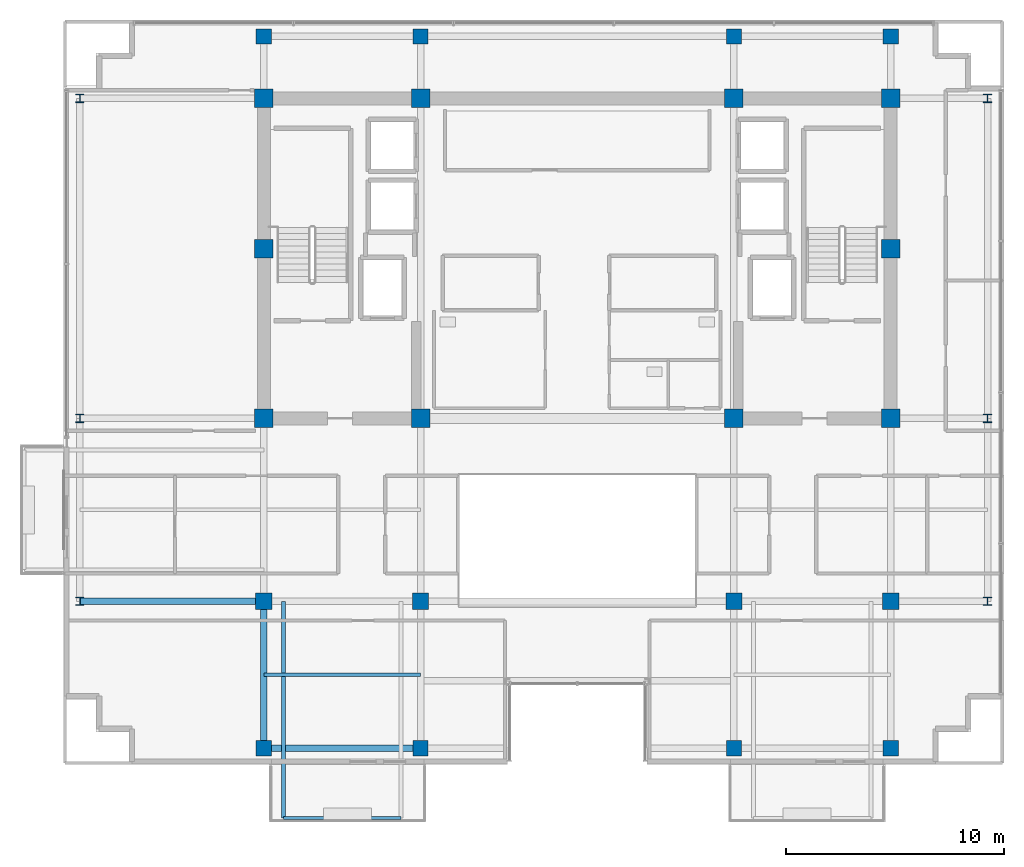
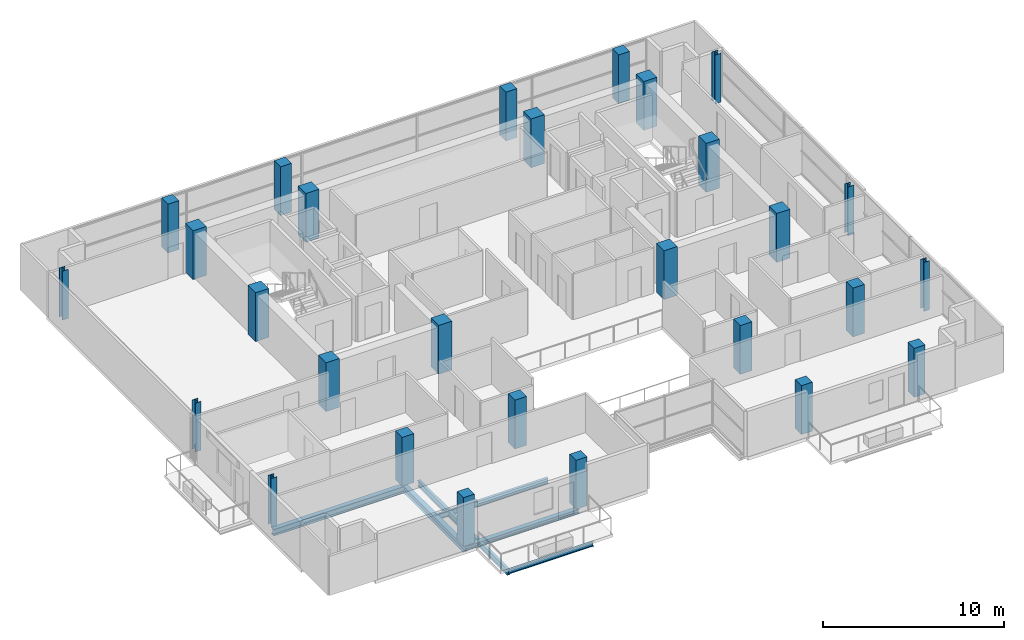
# One storey, part 1 of 22: 28 columns, 6 beams.
"""IFC4 building model written with IfcOpenShell, lengths in metres."""

from ifc_helpers import new_model, si_unit, direction, frame, origin, origin_2d, place, context, subcontext, project, spatial, rectangle, i_section, extrude, material, material_profile, profile_set, type_object, element, save


model = new_model("IFC4")

# Units and contexts
model_context = context("Model", 3, precision=1e-05, world=origin(), true_north=direction((0.0, 1.0)))
body_context = subcontext(model_context, "Body", "Model", "MODEL_VIEW")
ifc_project = project(units=[si_unit("LENGTHUNIT", "METRE"), si_unit("AREAUNIT", "SQUARE_METRE"), si_unit("VOLUMEUNIT", "CUBIC_METRE"), si_unit("PLANEANGLEUNIT", "RADIAN"), si_unit("MASSUNIT", "GRAM", prefix="KILO")], contexts=[model_context])

# Site, building, storey
site_placement = place(None, origin())
site = spatial("IfcSite", under=ifc_project, at=site_placement, CompositionType="ELEMENT")
building_placement = place(site_placement, origin())
building = spatial("IfcBuilding", under=site, at=building_placement, Name="Zarnakvel Exchange Tower", CompositionType="ELEMENT")
storey_placement = place(building_placement, frame((0.0, 0.0, 215.5)))
storey = spatial("IfcBuildingStorey", under=building, at=storey_placement, Name="L60", CompositionType="ELEMENT", Elevation=215.5)

# Columns
ifc_material_1 = material(Name="Concrete C50/60", Category="concrete")
ifc_material_profile_1 = material_profile(ifc_material_1, rectangle(XDim=0.85009765625, YDim=0.85009765625, at=origin_2d()))
ifc_profile_set_1 = profile_set([ifc_material_profile_1], Name="Concrete C50/60")
column_type_1 = type_object("IfcColumnType", Name="CC-03", PredefinedType="COLUMN", material=ifc_profile_set_1)
for number, where, z_axis, x_axis, name in (
    (1, (-14.39990234375, -1.199951171875, 0.0), (0.0, 0.0, 1.0), (1.0, 0.0, 0.0), "L60 Column C-4D (CC-03)"),
    (2, (-7.199951171875, -1.199951171875, 0.0), (0.0, 0.0, 1.0), (1.0, 0.0, 0.0), "L60 Column C-5D (CC-03)"),
    (3, (7.199951171875, -1.199951171875, 0.0), (0.0, 0.0, 1.0), (1.0, 0.0, 0.0), "L60 Column C-8D (CC-03)"),
    (4, (14.39990234375, -1.199951171875, 0.0), (0.0, 0.0, 1.0), (1.0, 0.0, 0.0), "L60 Column C-9D (CC-03)"),
    (5, (-14.39990234375, 6.60009765625, 0.0), (0.0, 0.0, 1.0), (1.0, 0.0, 0.0), "L60 Column C-4E (CC-03)"),
    (6, (14.39990234375, 6.60009765625, 0.0), (0.0, 0.0, 1.0), (1.0, 0.0, 0.0), "L60 Column C-9E (CC-03)"),
    (7, (-14.39990234375, 13.5, 0.0), (0.0, 0.0, 1.0), (1.0, 0.0, 0.0), "L60 Column C-4F (CC-03)"),
    (8, (-7.199951171875, 13.5, 0.0), (0.0, 0.0, 1.0), (1.0, 0.0, 0.0), "L60 Column C-5F (CC-03)"),
    (9, (7.199951171875, 13.5, 0.0), (0.0, 0.0, 1.0), (1.0, 0.0, 0.0), "L60 Column C-8F (CC-03)"),
    (10, (14.39990234375, 13.5, 0.0), (0.0, 0.0, 1.0), (1.0, 0.0, 0.0), "L60 Column C-9F (CC-03)"),
):
    element("IfcColumn", number, at=place(storey_placement, frame(where, z_axis=z_axis, x_axis=x_axis)), inside=storey, type_object=column_type_1, Name=name, PredefinedType="COLUMN", context=body_context, shape_type="SweptSolid", body=[
        extrude(rectangle(XDim=0.85009765625, YDim=0.85009765625, at=origin_2d()), origin(), (0.0, 0.0, 1.0), 3.300048828125),
    ])
ifc_material_2 = material(Name="Steel S355", Category="steel")
ifc_material_profile_2 = material_profile(ifc_material_2, i_section(OverallWidth=0.374755859375, OverallDepth=0.37451171875, WebThickness=0.0166015625, FlangeThickness=0.027099609375, FilletRadius=0.01513671875, at=origin_2d()))
ifc_profile_set_2 = profile_set([ifc_material_profile_2], Name="Steel S355")
column_type_2 = type_object("IfcColumnType", Name="SC-05", PredefinedType="COLUMN", material=ifc_profile_set_2)
for number, where, z_axis, x_axis, name in (
    (11, (-22.85009765625, -9.60009765625, 0.0), (0.0, 0.0, 1.0), (1.0, 0.0, 0.0), "L60 Column TW-C (SC-05)"),
    (12, (18.85009765625, -9.60009765625, 0.0), (0.0, 0.0, 1.0), (1.0, 0.0, 0.0), "L60 Column TE-C (SC-05)"),
    (13, (-22.85009765625, -1.199951171875, 0.0), (0.0, 0.0, 1.0), (1.0, 0.0, 0.0), "L60 Column TW-D (SC-05)"),
    (14, (18.85009765625, -1.199951171875, 0.0), (0.0, 0.0, 1.0), (1.0, 0.0, 0.0), "L60 Column TE-D (SC-05)"),
    (15, (-22.85009765625, 13.5, 0.0), (0.0, 0.0, 1.0), (1.0, 0.0, 0.0), "L60 Column TW-F (SC-05)"),
    (16, (18.85009765625, 13.5, 0.0), (0.0, 0.0, 1.0), (1.0, 0.0, 0.0), "L60 Column TE-F (SC-05)"),
):
    element("IfcColumn", number, at=place(storey_placement, frame(where, z_axis=z_axis, x_axis=x_axis)), inside=storey, type_object=column_type_2, Name=name, PredefinedType="COLUMN", context=body_context, shape_type="SweptSolid", body=[
        extrude(i_section(OverallWidth=0.374755859375, OverallDepth=0.37451171875, WebThickness=0.0166015625, FlangeThickness=0.027099609375, FilletRadius=0.01513671875, at=origin_2d()), origin(), (0.0, 0.0, 1.0), 3.300048828125),
    ])
ifc_material_profile_3 = material_profile(ifc_material_1, rectangle(XDim=0.75, YDim=0.75, at=origin_2d()))
ifc_profile_set_3 = profile_set([ifc_material_profile_3], Name="Concrete C50/60")
column_type_3 = type_object("IfcColumnType", Name="TC-04", PredefinedType="COLUMN", material=ifc_profile_set_3)
for number, where, z_axis, x_axis, name in (
    (17, (-14.39990234375, -9.60009765625, 0.0), (0.0, 0.0, 1.0), (1.0, 0.0, 0.0), "L60 Column T-4C (TC-04)"),
    (18, (-7.199951171875, -9.60009765625, 0.0), (0.0, 0.0, 1.0), (1.0, 0.0, 0.0), "L60 Column T-5C (TC-04)"),
    (19, (7.199951171875, -9.60009765625, 0.0), (0.0, 0.0, 1.0), (1.0, 0.0, 0.0), "L60 Column T-8C (TC-04)"),
    (20, (14.39990234375, -9.60009765625, 0.0), (0.0, 0.0, 1.0), (1.0, 0.0, 0.0), "L60 Column T-9C (TC-04)"),
):
    element("IfcColumn", number, at=place(storey_placement, frame(where, z_axis=z_axis, x_axis=x_axis)), inside=storey, type_object=column_type_3, Name=name, PredefinedType="COLUMN", context=body_context, shape_type="SweptSolid", body=[
        extrude(rectangle(XDim=0.75, YDim=0.75, at=origin_2d()), origin(), (0.0, 0.0, 1.0), 3.300048828125),
    ])
ifc_material_profile_4 = material_profile(ifc_material_1, rectangle(XDim=0.699951171875, YDim=0.699951171875, at=origin_2d()))
ifc_profile_set_4 = profile_set([ifc_material_profile_4], Name="Concrete C50/60")
column_type_4 = type_object("IfcColumnType", Name="TC-05", PredefinedType="COLUMN", material=ifc_profile_set_4)
for number, where, z_axis, x_axis, name in (
    (21, (-14.39990234375, -16.35009765625, 0.0), (0.0, 0.0, 1.0), (1.0, 0.0, 0.0), "L60 Column TS-4 (TC-05)"),
    (22, (-14.39990234375, 16.35009765625, 0.0), (0.0, 0.0, 1.0), (1.0, 0.0, 0.0), "L60 Column TN-4 (TC-05)"),
    (23, (-7.199951171875, -16.35009765625, 0.0), (0.0, 0.0, 1.0), (1.0, 0.0, 0.0), "L60 Column TS-5 (TC-05)"),
    (24, (-7.199951171875, 16.35009765625, 0.0), (0.0, 0.0, 1.0), (1.0, 0.0, 0.0), "L60 Column TN-5 (TC-05)"),
    (25, (7.199951171875, -16.35009765625, 0.0), (0.0, 0.0, 1.0), (1.0, 0.0, 0.0), "L60 Column TS-8 (TC-05)"),
    (26, (7.199951171875, 16.35009765625, 0.0), (0.0, 0.0, 1.0), (1.0, 0.0, 0.0), "L60 Column TN-8 (TC-05)"),
    (27, (14.39990234375, -16.35009765625, 0.0), (0.0, 0.0, 1.0), (1.0, 0.0, 0.0), "L60 Column TS-9 (TC-05)"),
    (28, (14.39990234375, 16.35009765625, 0.0), (0.0, 0.0, 1.0), (1.0, 0.0, 0.0), "L60 Column TN-9 (TC-05)"),
):
    element("IfcColumn", number, at=place(storey_placement, frame(where, z_axis=z_axis, x_axis=x_axis)), inside=storey, type_object=column_type_4, Name=name, PredefinedType="COLUMN", context=body_context, shape_type="SweptSolid", body=[
        extrude(rectangle(XDim=0.699951171875, YDim=0.699951171875, at=origin_2d()), origin(), (0.0, 0.0, 1.0), 3.300048828125),
    ])

# Beams
ifc_material_profile_5 = material_profile(ifc_material_2, i_section(OverallWidth=0.179931640625, OverallDepth=0.39990234375, WebThickness=0.008544921875, FlangeThickness=0.013427734375, FilletRadius=0.02099609375, at=origin_2d()))
ifc_profile_set_5 = profile_set([ifc_material_profile_5], Name="Steel S355")
beam_type_1 = type_object("IfcBeamType", Name="B-06", PredefinedType="JOIST", material=ifc_profile_set_5)
beam_1_placement = place(storey_placement, frame((-13.5, -9.60009765625, -0.425048828125), z_axis=(0.0, -1.0, 0.0), x_axis=(1.0, 0.0, 0.0)))
element("IfcBeam", 29, at=beam_1_placement, inside=storey, type_object=beam_type_1, Name="L60 Continuous Back-Spanned Balcony Beam W", PredefinedType="JOIST", context=body_context, shape_type="SweptSolid", body=[
    extrude(i_section(OverallWidth=0.179931640625, OverallDepth=0.39990234375, WebThickness=0.008544921875, FlangeThickness=0.013427734375, FilletRadius=0.02099609375, at=origin_2d()), origin(), (0.0, 0.0, 1.0), 9.949951171875),
])
ifc_material_profile_6 = material_profile(ifc_material_2, i_section(OverallWidth=0.169921875, OverallDepth=0.360107421875, WebThickness=0.008056640625, FlangeThickness=0.0126953125, FilletRadius=0.01806640625, at=origin_2d()))
ifc_profile_set_6 = profile_set([ifc_material_profile_6], Name="Steel S355")
beam_type_2 = type_object("IfcBeamType", Name="B-07", PredefinedType="JOIST", material=ifc_profile_set_6)
beam_2_placement = place(storey_placement, frame((-14.39990234375, -12.97509765625, -0.405029296875), z_axis=(1.0, 0.0, 0.0), x_axis=(0.0, 1.0, 0.0)))
element("IfcBeam", 30, at=beam_2_placement, inside=storey, type_object=beam_type_2, Name="L60 Composite Floor Secondary Joist", PredefinedType="JOIST", context=body_context, shape_type="SweptSolid", body=[
    extrude(i_section(OverallWidth=0.169921875, OverallDepth=0.360107421875, WebThickness=0.008056640625, FlangeThickness=0.0126953125, FilletRadius=0.01806640625, at=origin_2d()), origin(), (0.0, 0.0, 1.0), 7.199951171875),
])
ifc_material_profile_7 = material_profile(ifc_material_2, i_section(OverallWidth=0.14990234375, OverallDepth=0.300048828125, WebThickness=0.007080078125, FlangeThickness=0.0107421875, FilletRadius=0.014892578125, at=origin_2d()))
ifc_profile_set_7 = profile_set([ifc_material_profile_7], Name="Steel S355")
beam_type_3 = type_object("IfcBeamType", Name="B-08", PredefinedType="JOIST", material=ifc_profile_set_7)
beam_3_placement = place(storey_placement, frame((-13.5, -19.550048828125, -0.375), z_axis=(1.0, 0.0, 0.0), x_axis=(0.0, 1.0, 0.0)))
element("IfcBeam", 31, at=beam_3_placement, inside=storey, type_object=beam_type_3, Name="L60 Balcony Edge Beam", PredefinedType="JOIST", context=body_context, shape_type="SweptSolid", body=[
    extrude(i_section(OverallWidth=0.14990234375, OverallDepth=0.300048828125, WebThickness=0.007080078125, FlangeThickness=0.0107421875, FilletRadius=0.014892578125, at=origin_2d()), origin(), (0.0, 0.0, 1.0), 5.39990234375),
])
ifc_material_profile_8 = material_profile(ifc_material_2, i_section(OverallWidth=0.300048828125, OverallDepth=0.449951171875, WebThickness=0.013916015625, FlangeThickness=0.02587890625, FilletRadius=0.027099609375, at=origin_2d()))
ifc_profile_set_8 = profile_set([ifc_material_profile_8], Name="Steel S355")
beam_type_4 = type_object("IfcBeamType", Name="G-07", PredefinedType="BEAM", material=ifc_profile_set_8)
beam_4_placement = place(storey_placement, frame((-22.85009765625, -9.60009765625, -0.449951171875), z_axis=(1.0, 0.0, 0.0), x_axis=(0.0, 1.0, 0.0)))
element("IfcBeam", 32, at=beam_4_placement, inside=storey, type_object=beam_type_4, Name="L60 Tower E-W Frame Beam", PredefinedType="BEAM", context=body_context, shape_type="SweptSolid", body=[
    extrude(i_section(OverallWidth=0.300048828125, OverallDepth=0.449951171875, WebThickness=0.013916015625, FlangeThickness=0.02587890625, FilletRadius=0.027099609375, at=origin_2d()), origin(), (0.0, 0.0, 1.0), 8.4501953125),
])
beam_5_placement = place(storey_placement, frame((-14.39990234375, -16.35009765625, -0.449951171875), z_axis=(0.0, 1.0, 0.0), x_axis=(-1.0, 0.0, 0.0)))
element("IfcBeam", 33, at=beam_5_placement, inside=storey, type_object=beam_type_4, Name="L60 Tower N-S Frame Beam", PredefinedType="BEAM", context=body_context, shape_type="SweptSolid", body=[
    extrude(i_section(OverallWidth=0.300048828125, OverallDepth=0.449951171875, WebThickness=0.013916015625, FlangeThickness=0.02587890625, FilletRadius=0.027099609375, at=origin_2d()), origin(), (0.0, 0.0, 1.0), 6.75),
])
ifc_material_profile_9 = material_profile(ifc_material_2, i_section(OverallWidth=0.300048828125, OverallDepth=0.300048828125, WebThickness=0.010986328125, FlangeThickness=0.01904296875, FilletRadius=0.027099609375, at=origin_2d()))
ifc_profile_set_9 = profile_set([ifc_material_profile_9], Name="Steel S355")
beam_type_5 = type_object("IfcBeamType", Name="SP-03", PredefinedType="SPANDREL", material=ifc_profile_set_9)
beam_6_placement = place(storey_placement, frame((-14.39990234375, -16.35009765625, -0.375), z_axis=(1.0, 0.0, 0.0), x_axis=(0.0, 1.0, 0.0)))
element("IfcBeam", 34, at=beam_6_placement, inside=storey, type_object=beam_type_5, Name="L60 Tower E-W Frame Beam", PredefinedType="SPANDREL", context=body_context, shape_type="SweptSolid", body=[
    extrude(i_section(OverallWidth=0.300048828125, OverallDepth=0.300048828125, WebThickness=0.010986328125, FlangeThickness=0.01904296875, FilletRadius=0.027099609375, at=origin_2d()), origin(), (0.0, 0.0, 1.0), 7.199951171875),
])

save(model, "model.ifc")
